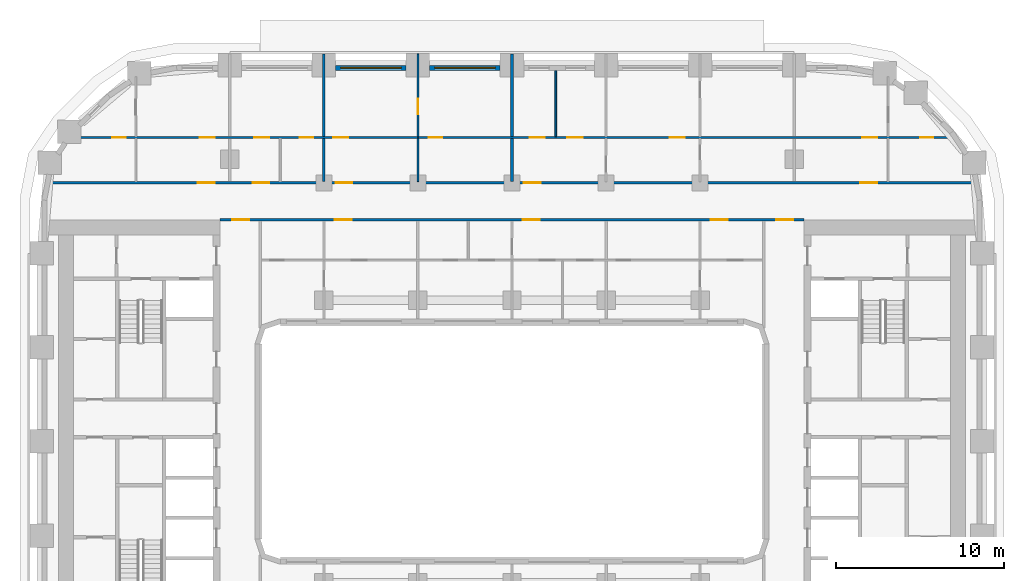
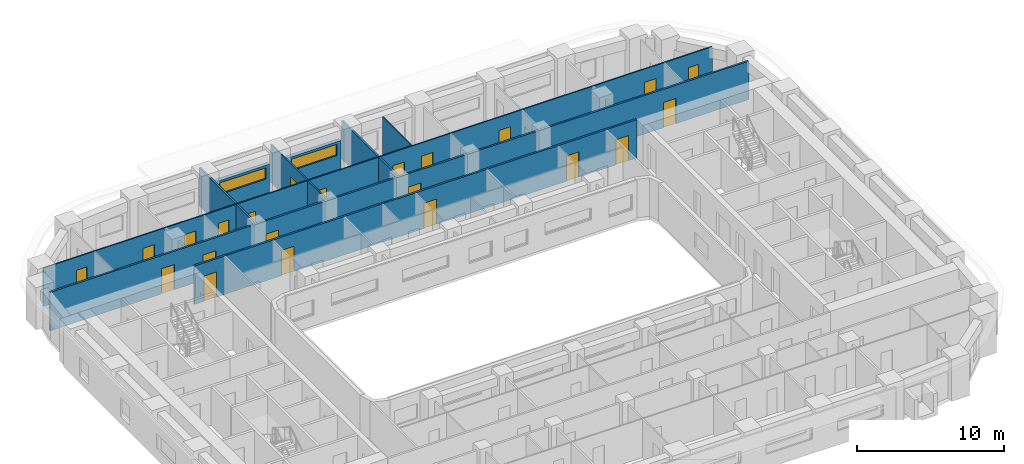
# One storey, part 8 of 22: 22 doors, 12 walls, 2 windows, 24 openings.
"""IFC4 building model written with IfcOpenShell, lengths in metres."""

import ifcopenshell
import ifcopenshell.guid

model = None  # the IFC model being written
_history = None  # IfcOwnerHistory: only IFC2X3 demands one
_inside = {}  # id of a spatial element -> (the spatial element, [elements in it])
_under = {}  # id of a project, library or spatial element -> (it, [spatial elements below it])
_declared = {}  # id of a project -> (the project, [libraries it declares])
_typed = {}  # id of a type object -> (the type object, [elements of that type])
_made_of = {}  # id of a material, layer set ... -> (it, [elements and type objects made of it])


def new_model(schema):
    """Start an empty IFC model of exactly this schema.

    Asked for "IFC4X3", IfcOpenShell would pick the latest addendum, in which some entities
    have other attributes; the version numbers below select the first issue.
    IFC2X3 requires an IfcOwnerHistory on every rooted entity: one is made here for all.
    """
    global model, _history
    if schema == "IFC4X3":
        model = ifcopenshell.file(schema_version=(4, 3, 0, 0))
    else:
        model = ifcopenshell.file(schema=schema)
    _inside.clear()
    _under.clear()
    _declared.clear()
    _typed.clear()
    _made_of.clear()
    _history = None
    if model.schema == "IFC2X3":
        org = make("IfcOrganization", Name="unknown")
        user = make(
            "IfcPersonAndOrganization",
            ThePerson=make("IfcPerson", FamilyName="unknown"),
            TheOrganization=org,
        )
        app = make(
            "IfcApplication",
            ApplicationDeveloper=org,
            Version="unknown",
            ApplicationFullName="unknown",
            ApplicationIdentifier="unknown",
        )
        _history = make(
            "IfcOwnerHistory",
            OwningUser=user,
            OwningApplication=app,
            ChangeAction="ADDED",
            CreationDate=0,
        )
    return model


def make(cls, **values):
    """One entity of the class cls with the attributes given. An attribute that is None is left unset."""
    return model.create_entity(
        cls, **{name: value for name, value in values.items() if value is not None}
    )


def rooted(cls, **values):
    """An entity with a GlobalId (a new one), such as an element, a storey or a relation."""
    return make(cls, GlobalId=ifcopenshell.guid.new(), OwnerHistory=_history, **values)


def si_unit(unit_type, name, prefix=None):
    """IfcSIUnit, for example si_unit("LENGTHUNIT", "METRE", prefix="MILLI")."""
    return make("IfcSIUnit", UnitType=unit_type, Prefix=prefix, Name=name)


def assignment(units):
    """IfcUnitAssignment: the units of a project."""
    return None if units is None else make("IfcUnitAssignment", Units=units)


def point(xyz):
    """IfcCartesianPoint."""
    return None if xyz is None else make("IfcCartesianPoint", Coordinates=xyz)


def direction(xyz):
    """IfcDirection."""
    return None if xyz is None else make("IfcDirection", DirectionRatios=xyz)


def frame(location, z_axis=None, x_axis=None):
    """IfcAxis2Placement3D, a coordinate frame: its origin and axes. An axis left out is left unset."""
    return make(
        "IfcAxis2Placement3D",
        Location=point(location),
        Axis=direction(z_axis),
        RefDirection=direction(x_axis),
    )


def frame_2d(location, x_axis=None):
    """IfcAxis2Placement2D, a coordinate frame in the plane: its origin and x axis."""
    return make(
        "IfcAxis2Placement2D", Location=point(location), RefDirection=direction(x_axis)
    )


def origin():
    """The frame at (0, 0, 0) with its axes left unset."""
    return frame((0.0, 0.0, 0.0))


def place(relative_to, where):
    """IfcLocalPlacement: puts the frame where relative to a parent placement (None: the world)."""
    return make(
        "IfcLocalPlacement", PlacementRelTo=relative_to, RelativePlacement=where
    )


def context(
    kind, dimensions, precision=None, world=None, true_north=None, identifier=None
):
    """IfcGeometricRepresentationContext, for example the 3D "Model" context."""
    return make(
        "IfcGeometricRepresentationContext",
        ContextIdentifier=identifier,
        ContextType=kind,
        CoordinateSpaceDimension=dimensions,
        Precision=precision,
        WorldCoordinateSystem=world,
        TrueNorth=true_north,
    )


def subcontext(parent, identifier, kind, view, scale=None):
    """IfcGeometricRepresentationSubContext, for example "Body" below "Model"."""
    return make(
        "IfcGeometricRepresentationSubContext",
        ContextIdentifier=identifier,
        ContextType=kind,
        ParentContext=parent,
        TargetScale=scale,
        TargetView=view,
    )


def project(units=None, contexts=None):
    """IfcProject with its units and contexts."""
    return rooted(
        "IfcProject",
        Name="project",
        RepresentationContexts=contexts,
        UnitsInContext=assignment(units),
    )


def spatial(cls, under=None, at=None, **own):
    """A site, building, storey or space (cls), placed at a placement, below another one or the project."""
    s = rooted(cls, ObjectPlacement=at, **own)
    if under is not None:
        _under.setdefault(under.id(), (under, []))[1].append(s)
    return s


def profile(cls, at=None, kind="AREA", **sizes):
    """A parametric profile (cls). Its sizes go by their IFC names, for example OverallWidth=200.0."""
    return make(cls, ProfileType=kind, Position=at, **sizes)


def rectangle(**sizes):
    """IfcRectangleProfileDef."""
    return profile("IfcRectangleProfileDef", **sizes)


def extrude(swept, where, along, depth):
    """IfcExtrudedAreaSolid: the profile swept, set in the frame where, extruded along a direction by depth."""
    return make(
        "IfcExtrudedAreaSolid",
        SweptArea=swept,
        Position=where,
        ExtrudedDirection=direction(along),
        Depth=depth,
    )


def shape(context_of_items, identifier, shape_type, items):
    """IfcShapeRepresentation: the items that make up one representation, for example the "Body"."""
    return make(
        "IfcShapeRepresentation",
        ContextOfItems=context_of_items,
        RepresentationIdentifier=identifier,
        RepresentationType=shape_type,
        Items=items,
    )


def material(Name=None, Category=None):
    """IfcMaterial."""
    return make("IfcMaterial", Name=Name, Category=Category)


def layer(
    of_material, thickness, ventilated=None, Name=None, Category=None, Priority=None
):
    """IfcMaterialLayer: one layer of a wall or slab, of a material (None: an air gap)."""
    return make(
        "IfcMaterialLayer",
        Material=of_material,
        LayerThickness=thickness,
        IsVentilated=ventilated,
        Name=Name,
        Category=Category,
        Priority=Priority,
    )


def layer_set(layers, Name=None):
    """IfcMaterialLayerSet."""
    return make("IfcMaterialLayerSet", MaterialLayers=layers, LayerSetName=Name)


def made_of(thing, what):
    """Note that an element or type object is made of a material, layer set ...; save() writes the relation."""
    if what is not None:
        _made_of.setdefault(what.id(), (what, []))[1].append(thing)
    return thing


def type_object(cls, material=None, **own):
    """A type object (cls), such as IfcWallType, which elements share."""
    return made_of(rooted(cls, **own), material)


def element(
    cls,
    number,
    at=None,
    inside=None,
    cuts=None,
    type_object=None,
    material=None,
    context=None,
    identifier="Body",
    shape_type=None,
    held_by="IfcProductDefinitionShape",
    body=None,
    shapes=None,
    **own,
):
    """One element of the class cls, such as IfcWall. Its Tag is "e" and its number.

    at: its placement. inside: the storey or other place that contains it. cuts: it is an
    opening in that element (IfcRelVoidsElement). A single representation is given by context,
    identifier, shape_type and body (its items); several are given by shapes. held_by: the class
    of the entity that holds the representations. save() writes the other relations.
    """
    e = rooted(cls, Tag="e%d" % number, ObjectPlacement=at, **own)
    if body is not None:
        shapes = [shape(context, identifier, shape_type, body)]
    if shapes is not None:
        e.Representation = make(held_by, Representations=shapes)
    if inside is not None:
        _inside.setdefault(inside.id(), (inside, []))[1].append(e)
    if cuts is not None:
        rooted(
            "IfcRelVoidsElement", RelatingBuildingElement=cuts, RelatedOpeningElement=e
        )
    if type_object is not None:
        _typed.setdefault(type_object.id(), (type_object, []))[1].append(e)
    return made_of(e, material)


def fill(opening, filler):
    """IfcRelFillsElement: the door or window that sits in an opening."""
    return rooted(
        "IfcRelFillsElement",
        RelatingOpeningElement=opening,
        RelatedBuildingElement=filler,
    )


def aggregate(whole, parts):
    """IfcRelAggregates: a whole, such as a stair, and the parts it consists of."""
    return rooted("IfcRelAggregates", RelatingObject=whole, RelatedObjects=parts)


def save(model, path):
    """Write the relations noted so far, then the file.

    IfcRelAggregates (storeys below a building ...), IfcRelContainedInSpatialStructure (elements
    in a storey), IfcRelDefinesByType, IfcRelAssociatesMaterial and IfcRelDeclares: one each for
    every whole, place, type object, material and project.
    """
    for whole, parts in _under.values():
        aggregate(whole, parts)
    for where, things in _inside.values():
        rooted(
            "IfcRelContainedInSpatialStructure",
            RelatedElements=things,
            RelatingStructure=where,
        )
    for kind, things in _typed.values():
        rooted("IfcRelDefinesByType", RelatedObjects=things, RelatingType=kind)
    for what, things in _made_of.values():
        rooted("IfcRelAssociatesMaterial", RelatedObjects=things, RelatingMaterial=what)
    for by, libraries in _declared.values():
        rooted("IfcRelDeclares", RelatingContext=by, RelatedDefinitions=libraries)
    model.write(path)


model = new_model("IFC4")

# Units and contexts
model_context = context("Model", 3, precision=1e-05, world=origin(), true_north=direction((0.0, 1.0)))
body_context = subcontext(model_context, "Body", "Model", "MODEL_VIEW")
ifc_project = project(units=[si_unit("LENGTHUNIT", "METRE"), si_unit("AREAUNIT", "SQUARE_METRE"), si_unit("VOLUMEUNIT", "CUBIC_METRE"), si_unit("PLANEANGLEUNIT", "RADIAN"), si_unit("MASSUNIT", "GRAM", prefix="KILO")], contexts=[model_context])

# Site, building, storey
site_placement = place(None, origin())
site = spatial("IfcSite", under=ifc_project, at=site_placement, CompositionType="ELEMENT")
building_placement = place(site_placement, origin())
building = spatial("IfcBuilding", under=site, at=building_placement, Name="Kiln Ring Residences", CompositionType="ELEMENT")
storey_placement = place(building_placement, frame((0.0, 0.0, 58.5)))
storey = spatial("IfcBuildingStorey", under=building, at=storey_placement, Name="L14", CompositionType="ELEMENT", Elevation=58.5)

# Wall, opening, window
ifc_material_1 = material(Name="Brick masonry, dark clay brick", Category="masonry")
ifc_layer_1 = layer(ifc_material_1, 0.300048828125)
ifc_layer_set_1 = layer_set([ifc_layer_1], Name="EW-300 BRICK WALL")
wall_type_1 = type_object("IfcWallType", Name="EW-300 BRICK WALL", PredefinedType="SOLIDWALL", material=ifc_layer_set_1)
wall_1_placement = place(storey_placement, frame((-0.699951171875, 22.25, 0.0), z_axis=(0.0, 0.0, 1.0), x_axis=(-1.0, 0.0, 0.0)))
wall_1 = element("IfcWall", 1, at=wall_1_placement, inside=storey, type_object=wall_type_1, Name="Facade wall L14 32", PredefinedType="SOLIDWALL", context=body_context, shape_type="SweptSolid", body=[
    extrude(rectangle(XDim=4.199951171875, YDim=0.300048828125, at=frame_2d((2.10009765625, 0.0))), origin(), (0.0, 0.0, 1.0), 2.35009765625),
])
opening_1_placement = place(wall_1_placement, frame((0.300048828125, 0.0, 1.199951171875)))
opening_1 = element("IfcOpeningElement", 2, at=opening_1_placement, cuts=wall_1, Name="Opening W4", PredefinedType="OPENING", context=body_context, shape_type="SweptSolid", body=[
    extrude(rectangle(XDim=3.60009765625, YDim=0.949951171875, at=frame_2d((1.800048828125, 0.47509765625))), frame((0.0, 0.159912109375, 0.0), z_axis=(0.0, -1.0, 0.0), x_axis=(1.0, 0.0, 0.0)), (0.0, 0.0, 1.0), 0.320068359375),
])
ifc_material_2 = material(Name="Aluminium frame with double glazing", Category="aluminium")
window_type = type_object("IfcWindowType", Name="WINDOW 3600 x 950", PartitioningType="SINGLE_PANEL", PredefinedType="WINDOW", material=ifc_material_2)
window_1_placement = place(opening_1_placement, origin())
window_1 = element("IfcWindow", 3, at=window_1_placement, inside=storey, type_object=window_type, Name="Window L14 18", OverallHeight=0.949951171875, OverallWidth=3.60009765625, PartitioningType="SINGLE_PANEL", PredefinedType="WINDOW", context=body_context, shape_type="SweptSolid", body=[
    extrude(rectangle(XDim=3.60009765625, YDim=0.949951171875, at=frame_2d((1.800048828125, 0.47509765625))), frame((0.0, 0.030029296875, 0.0), z_axis=(0.0, -1.0, 0.0), x_axis=(1.0, 0.0, 0.0)), (0.0, 0.0, 1.0), 0.06005859375),
])
fill(opening_1, window_1)

wall_2_placement = place(storey_placement, frame((-6.300048828125, 22.25, 0.0), z_axis=(0.0, 0.0, 1.0), x_axis=(-1.0, 0.0, 0.0)))
wall_2 = element("IfcWall", 4, at=wall_2_placement, inside=storey, type_object=wall_type_1, Name="Facade wall L14 33", PredefinedType="SOLIDWALL", context=body_context, shape_type="SweptSolid", body=[
    extrude(rectangle(XDim=4.199951171875, YDim=0.300048828125, at=frame_2d((2.10009765625, 0.0))), origin(), (0.0, 0.0, 1.0), 2.35009765625),
])
opening_2_placement = place(wall_2_placement, frame((0.300048828125, 0.0, 1.199951171875)))
opening_2 = element("IfcOpeningElement", 5, at=opening_2_placement, cuts=wall_2, Name="Opening W4", PredefinedType="OPENING", context=body_context, shape_type="SweptSolid", body=[
    extrude(rectangle(XDim=3.60009765625, YDim=0.949951171875, at=frame_2d((1.800048828125, 0.47509765625))), frame((0.0, 0.159912109375, 0.0), z_axis=(0.0, -1.0, 0.0), x_axis=(1.0, 0.0, 0.0)), (0.0, 0.0, 1.0), 0.320068359375),
])
window_2_placement = place(opening_2_placement, origin())
window_2 = element("IfcWindow", 6, at=window_2_placement, inside=storey, type_object=window_type, Name="Window L14 19", OverallHeight=0.949951171875, OverallWidth=3.60009765625, PartitioningType="SINGLE_PANEL", PredefinedType="WINDOW", context=body_context, shape_type="SweptSolid", body=[
    extrude(rectangle(XDim=3.60009765625, YDim=0.949951171875, at=frame_2d((1.800048828125, 0.47509765625))), frame((0.0, 0.030029296875, 0.0), z_axis=(0.0, -1.0, 0.0), x_axis=(1.0, 0.0, 0.0)), (0.0, 0.0, 1.0), 0.06005859375),
])
fill(opening_2, window_2)

# Wall, openings, doors
ifc_material_3 = material(Name="Gypsum board on steel studs", Category="steel")
ifc_layer_2 = layer(ifc_material_3, 0.10009765625)
ifc_layer_set_2 = layer_set([ifc_layer_2], Name="PARTITION-100")
wall_type_2 = type_object("IfcWallType", Name="PARTITION-100", PredefinedType="PARTITIONING", material=ifc_layer_set_2)
wall_3_placement = place(storey_placement, frame((-26.43994140625, 18.10009765625, 0.0), z_axis=(0.0, 0.0, 1.0), x_axis=(1.0, 0.0, 0.0)))
wall_3 = element("IfcWall", 7, at=wall_3_placement, inside=storey, type_object=wall_type_2, Name="Partition 007", PredefinedType="PARTITIONING", context=body_context, shape_type="SweptSolid", body=[
    extrude(rectangle(XDim=52.630126953125, YDim=0.10009765625, at=frame_2d((26.31494140625, 0.0))), origin(), (0.0, 0.0, 1.0), 3.199951171875),
])
opening_3_placement = place(wall_3_placement, frame((2.6259765625, 0.0, 0.0)))
opening_3 = element("IfcOpeningElement", 8, at=opening_3_placement, cuts=wall_3, Name="Opening L14-D020", PredefinedType="OPENING", context=body_context, shape_type="SweptSolid", body=[
    extrude(rectangle(XDim=0.800048828125, YDim=2.10009765625, at=frame_2d((0.39990234375, 1.050048828125))), frame((0.0, 0.06005859375, 0.0), z_axis=(0.0, -1.0, 0.0), x_axis=(1.0, 0.0, 0.0)), (0.0, 0.0, 1.0), 0.1201171875),
])
opening_4_placement = place(wall_3_placement, frame((7.840087890625, 0.0, 0.0)))
opening_4 = element("IfcOpeningElement", 9, at=opening_4_placement, cuts=wall_3, Name="Opening L14-D021", PredefinedType="OPENING", context=body_context, shape_type="SweptSolid", body=[
    extrude(rectangle(XDim=0.89990234375, YDim=2.10009765625, at=frame_2d((0.449951171875, 1.050048828125))), frame((0.0, 0.06005859375, 0.0), z_axis=(0.0, -1.0, 0.0), x_axis=(1.0, 0.0, 0.0)), (0.0, 0.0, 1.0), 0.1201171875),
])
opening_5_placement = place(wall_3_placement, frame((13.7900390625, 0.0, 0.0)))
opening_5 = element("IfcOpeningElement", 10, at=opening_5_placement, cuts=wall_3, Name="Opening L14-D024", PredefinedType="OPENING", context=body_context, shape_type="SweptSolid", body=[
    extrude(rectangle(XDim=0.800048828125, YDim=2.10009765625, at=frame_2d((0.39990234375, 1.050048828125))), frame((0.0, 0.06005859375, 0.0), z_axis=(0.0, -1.0, 0.0), x_axis=(1.0, 0.0, 0.0)), (0.0, 0.0, 1.0), 0.1201171875),
])
opening_6_placement = place(wall_3_placement, frame((11.090087890625, 0.0, 0.0)))
opening_6 = element("IfcOpeningElement", 11, at=opening_6_placement, cuts=wall_3, Name="Opening L14-D025", PredefinedType="OPENING", context=body_context, shape_type="SweptSolid", body=[
    extrude(rectangle(XDim=0.89990234375, YDim=2.10009765625, at=frame_2d((0.449951171875, 1.050048828125))), frame((0.0, 0.06005859375, 0.0), z_axis=(0.0, -1.0, 0.0), x_axis=(1.0, 0.0, 0.0)), (0.0, 0.0, 1.0), 0.1201171875),
])
opening_7_placement = place(wall_3_placement, frame((21.489990234375, 0.0, 0.0)))
opening_7 = element("IfcOpeningElement", 12, at=opening_7_placement, cuts=wall_3, Name="Opening L14-D027", PredefinedType="OPENING", context=body_context, shape_type="SweptSolid", body=[
    extrude(rectangle(XDim=0.800048828125, YDim=2.10009765625, at=frame_2d((0.39990234375, 1.050048828125))), frame((0.0, 0.06005859375, 0.0), z_axis=(0.0, -1.0, 0.0), x_axis=(1.0, 0.0, 0.0)), (0.0, 0.0, 1.0), 0.1201171875),
])
opening_8_placement = place(wall_3_placement, frame((15.7900390625, 0.0, 0.0)))
opening_8 = element("IfcOpeningElement", 13, at=opening_8_placement, cuts=wall_3, Name="Opening L14-D028", PredefinedType="OPENING", context=body_context, shape_type="SweptSolid", body=[
    extrude(rectangle(XDim=0.89990234375, YDim=2.10009765625, at=frame_2d((0.449951171875, 1.050048828125))), frame((0.0, 0.06005859375, 0.0), z_axis=(0.0, -1.0, 0.0), x_axis=(1.0, 0.0, 0.0)), (0.0, 0.0, 1.0), 0.1201171875),
])
opening_9_placement = place(wall_3_placement, frame((27.489990234375, 0.0, 0.0)))
opening_9 = element("IfcOpeningElement", 14, at=opening_9_placement, cuts=wall_3, Name="Opening L14-D033", PredefinedType="OPENING", context=body_context, shape_type="SweptSolid", body=[
    extrude(rectangle(XDim=0.89990234375, YDim=2.10009765625, at=frame_2d((0.449951171875, 1.050048828125))), frame((0.0, 0.06005859375, 0.0), z_axis=(0.0, -1.0, 0.0), x_axis=(1.0, 0.0, 0.0)), (0.0, 0.0, 1.0), 0.1201171875),
])
opening_10_placement = place(wall_3_placement, frame((29.739990234375, 0.0, 0.0)))
opening_10 = element("IfcOpeningElement", 15, at=opening_10_placement, cuts=wall_3, Name="Opening L14-D034", PredefinedType="OPENING", context=body_context, shape_type="SweptSolid", body=[
    extrude(rectangle(XDim=0.89990234375, YDim=2.10009765625, at=frame_2d((0.449951171875, 1.050048828125))), frame((0.0, 0.06005859375, 0.0), z_axis=(0.0, -1.0, 0.0), x_axis=(1.0, 0.0, 0.0)), (0.0, 0.0, 1.0), 0.1201171875),
])
opening_11_placement = place(wall_3_placement, frame((35.840087890625, 0.0, 0.0)))
opening_11 = element("IfcOpeningElement", 16, at=opening_11_placement, cuts=wall_3, Name="Opening L14-D035", PredefinedType="OPENING", context=body_context, shape_type="SweptSolid", body=[
    extrude(rectangle(XDim=0.89990234375, YDim=2.10009765625, at=frame_2d((0.449951171875, 1.050048828125))), frame((0.0, 0.06005859375, 0.0), z_axis=(0.0, -1.0, 0.0), x_axis=(1.0, 0.0, 0.0)), (0.0, 0.0, 1.0), 0.1201171875),
])
opening_12_placement = place(wall_3_placement, frame((50.739990234375, 0.0, 0.0)))
opening_12 = element("IfcOpeningElement", 17, at=opening_12_placement, cuts=wall_3, Name="Opening L14-D038", PredefinedType="OPENING", context=body_context, shape_type="SweptSolid", body=[
    extrude(rectangle(XDim=0.800048828125, YDim=2.10009765625, at=frame_2d((0.39990234375, 1.050048828125))), frame((0.0, 0.06005859375, 0.0), z_axis=(0.0, -1.0, 0.0), x_axis=(1.0, 0.0, 0.0)), (0.0, 0.0, 1.0), 0.1201171875),
])
opening_13_placement = place(wall_3_placement, frame((47.2900390625, 0.0, 0.0)))
opening_13 = element("IfcOpeningElement", 18, at=opening_13_placement, cuts=wall_3, Name="Opening L14-D039", PredefinedType="OPENING", context=body_context, shape_type="SweptSolid", body=[
    extrude(rectangle(XDim=0.89990234375, YDim=2.10009765625, at=frame_2d((0.449951171875, 1.050048828125))), frame((0.0, 0.06005859375, 0.0), z_axis=(0.0, -1.0, 0.0), x_axis=(1.0, 0.0, 0.0)), (0.0, 0.0, 1.0), 0.1201171875),
])
ifc_material_4 = material(Name="Timber door leaf", Category="wood")
door_type_1 = type_object("IfcDoorType", Name="FLAT-DOOR-800-PL", OperationType="SINGLE_SWING_LEFT", PredefinedType="DOOR", material=ifc_material_4)
door_1_placement = place(opening_3_placement, origin())
door_1 = element("IfcDoor", 19, at=door_1_placement, inside=storey, type_object=door_type_1, Name="Door L14-D020", OperationType="SINGLE_SWING_RIGHT", OverallHeight=2.10009765625, OverallWidth=0.800048828125, PredefinedType="DOOR", context=body_context, shape_type="SweptSolid", body=[
    extrude(rectangle(XDim=0.800048828125, YDim=2.10009765625, at=frame_2d((0.39990234375, 1.050048828125))), frame((0.0, 0.02490234375, 0.0), z_axis=(0.0, -1.0, 0.0), x_axis=(1.0, 0.0, 0.0)), (0.0, 0.0, 1.0), 0.050048828125),
])
fill(opening_3, door_1)
door_2_placement = place(opening_5_placement, origin())
door_2 = element("IfcDoor", 20, at=door_2_placement, inside=storey, type_object=door_type_1, Name="Door L14-D024", OperationType="SINGLE_SWING_RIGHT", OverallHeight=2.10009765625, OverallWidth=0.800048828125, PredefinedType="DOOR", context=body_context, shape_type="SweptSolid", body=[
    extrude(rectangle(XDim=0.800048828125, YDim=2.10009765625, at=frame_2d((0.39990234375, 1.050048828125))), frame((0.0, 0.02490234375, 0.0), z_axis=(0.0, -1.0, 0.0), x_axis=(1.0, 0.0, 0.0)), (0.0, 0.0, 1.0), 0.050048828125),
])
fill(opening_5, door_2)
door_3_placement = place(opening_7_placement, origin())
door_3 = element("IfcDoor", 21, at=door_3_placement, inside=storey, type_object=door_type_1, Name="Door L14-D027", OperationType="SINGLE_SWING_LEFT", OverallHeight=2.10009765625, OverallWidth=0.800048828125, PredefinedType="DOOR", context=body_context, shape_type="SweptSolid", body=[
    extrude(rectangle(XDim=0.800048828125, YDim=2.10009765625, at=frame_2d((0.39990234375, 1.050048828125))), frame((0.0, 0.02490234375, 0.0), z_axis=(0.0, -1.0, 0.0), x_axis=(1.0, 0.0, 0.0)), (0.0, 0.0, 1.0), 0.050048828125),
])
fill(opening_7, door_3)
door_4_placement = place(opening_12_placement, origin())
door_4 = element("IfcDoor", 22, at=door_4_placement, inside=storey, type_object=door_type_1, Name="Door L14-D038", OperationType="SINGLE_SWING_RIGHT", OverallHeight=2.10009765625, OverallWidth=0.800048828125, PredefinedType="DOOR", context=body_context, shape_type="SweptSolid", body=[
    extrude(rectangle(XDim=0.800048828125, YDim=2.10009765625, at=frame_2d((0.39990234375, 1.050048828125))), frame((0.0, 0.02490234375, 0.0), z_axis=(0.0, -1.0, 0.0), x_axis=(1.0, 0.0, 0.0)), (0.0, 0.0, 1.0), 0.050048828125),
])
fill(opening_12, door_4)
ifc_material_5 = material(Name="Timber door leaf", Category="wood")
door_type_2 = type_object("IfcDoorType", Name="FLAT-DOOR-900-PL", OperationType="SINGLE_SWING_LEFT", PredefinedType="DOOR", material=ifc_material_5)
door_5_placement = place(opening_4_placement, origin())
door_5 = element("IfcDoor", 23, at=door_5_placement, inside=storey, type_object=door_type_2, Name="Door L14-D021", OperationType="SINGLE_SWING_LEFT", OverallHeight=2.10009765625, OverallWidth=0.89990234375, PredefinedType="DOOR", context=body_context, shape_type="SweptSolid", body=[
    extrude(rectangle(XDim=0.89990234375, YDim=2.10009765625, at=frame_2d((0.449951171875, 1.050048828125))), frame((0.0, 0.02490234375, 0.0), z_axis=(0.0, -1.0, 0.0), x_axis=(1.0, 0.0, 0.0)), (0.0, 0.0, 1.0), 0.050048828125),
])
fill(opening_4, door_5)
door_6_placement = place(opening_6_placement, origin())
door_6 = element("IfcDoor", 24, at=door_6_placement, inside=storey, type_object=door_type_2, Name="Door L14-D025", OperationType="SINGLE_SWING_LEFT", OverallHeight=2.10009765625, OverallWidth=0.89990234375, PredefinedType="DOOR", context=body_context, shape_type="SweptSolid", body=[
    extrude(rectangle(XDim=0.89990234375, YDim=2.10009765625, at=frame_2d((0.449951171875, 1.050048828125))), frame((0.0, 0.02490234375, 0.0), z_axis=(0.0, -1.0, 0.0), x_axis=(1.0, 0.0, 0.0)), (0.0, 0.0, 1.0), 0.050048828125),
])
fill(opening_6, door_6)
door_7_placement = place(opening_8_placement, origin())
door_7 = element("IfcDoor", 25, at=door_7_placement, inside=storey, type_object=door_type_2, Name="Door L14-D028", OperationType="SINGLE_SWING_RIGHT", OverallHeight=2.10009765625, OverallWidth=0.89990234375, PredefinedType="DOOR", context=body_context, shape_type="SweptSolid", body=[
    extrude(rectangle(XDim=0.89990234375, YDim=2.10009765625, at=frame_2d((0.449951171875, 1.050048828125))), frame((0.0, 0.02490234375, 0.0), z_axis=(0.0, -1.0, 0.0), x_axis=(1.0, 0.0, 0.0)), (0.0, 0.0, 1.0), 0.050048828125),
])
fill(opening_8, door_7)
door_8_placement = place(opening_9_placement, origin())
door_8 = element("IfcDoor", 26, at=door_8_placement, inside=storey, type_object=door_type_2, Name="Door L14-D033", OperationType="SINGLE_SWING_LEFT", OverallHeight=2.10009765625, OverallWidth=0.89990234375, PredefinedType="DOOR", context=body_context, shape_type="SweptSolid", body=[
    extrude(rectangle(XDim=0.89990234375, YDim=2.10009765625, at=frame_2d((0.449951171875, 1.050048828125))), frame((0.0, 0.02490234375, 0.0), z_axis=(0.0, -1.0, 0.0), x_axis=(1.0, 0.0, 0.0)), (0.0, 0.0, 1.0), 0.050048828125),
])
fill(opening_9, door_8)
door_9_placement = place(opening_10_placement, origin())
door_9 = element("IfcDoor", 27, at=door_9_placement, inside=storey, type_object=door_type_2, Name="Door L14-D034", OperationType="SINGLE_SWING_RIGHT", OverallHeight=2.10009765625, OverallWidth=0.89990234375, PredefinedType="DOOR", context=body_context, shape_type="SweptSolid", body=[
    extrude(rectangle(XDim=0.89990234375, YDim=2.10009765625, at=frame_2d((0.449951171875, 1.050048828125))), frame((0.0, 0.02490234375, 0.0), z_axis=(0.0, -1.0, 0.0), x_axis=(1.0, 0.0, 0.0)), (0.0, 0.0, 1.0), 0.050048828125),
])
fill(opening_10, door_9)
door_10_placement = place(opening_11_placement, origin())
door_10 = element("IfcDoor", 28, at=door_10_placement, inside=storey, type_object=door_type_2, Name="Door L14-D035", OperationType="SINGLE_SWING_LEFT", OverallHeight=2.10009765625, OverallWidth=0.89990234375, PredefinedType="DOOR", context=body_context, shape_type="SweptSolid", body=[
    extrude(rectangle(XDim=0.89990234375, YDim=2.10009765625, at=frame_2d((0.449951171875, 1.050048828125))), frame((0.0, 0.02490234375, 0.0), z_axis=(0.0, -1.0, 0.0), x_axis=(1.0, 0.0, 0.0)), (0.0, 0.0, 1.0), 0.050048828125),
])
fill(opening_11, door_10)
door_11_placement = place(opening_13_placement, origin())
door_11 = element("IfcDoor", 29, at=door_11_placement, inside=storey, type_object=door_type_2, Name="Door L14-D039", OperationType="SINGLE_SWING_LEFT", OverallHeight=2.10009765625, OverallWidth=0.89990234375, PredefinedType="DOOR", context=body_context, shape_type="SweptSolid", body=[
    extrude(rectangle(XDim=0.89990234375, YDim=2.10009765625, at=frame_2d((0.449951171875, 1.050048828125))), frame((0.0, 0.02490234375, 0.0), z_axis=(0.0, -1.0, 0.0), x_axis=(1.0, 0.0, 0.0)), (0.0, 0.0, 1.0), 0.050048828125),
])
fill(opening_13, door_11)

# Wall
wall_4_placement = place(storey_placement, frame((-5.60009765625, 15.47509765625, 0.0), z_axis=(0.0, 0.0, 1.0), x_axis=(0.0, 1.0, 0.0)))
element("IfcWall", 30, at=wall_4_placement, inside=storey, type_object=wall_type_2, Name="Partition 029", PredefinedType="PARTITIONING", context=body_context, shape_type="SweptSolid", body=[
    extrude(rectangle(XDim=2.574951171875, YDim=0.10009765625, at=frame_2d((1.28759765625, 0.0))), origin(), (0.0, 0.0, 1.0), 3.199951171875),
])

# Wall, opening, door
wall_5_placement = place(storey_placement, frame((-5.60009765625, 18.14990234375, 0.0), z_axis=(0.0, 0.0, 1.0), x_axis=(0.0, 1.0, 0.0)))
wall_5 = element("IfcWall", 31, at=wall_5_placement, inside=storey, type_object=wall_type_2, Name="Partition 030", PredefinedType="PARTITIONING", context=body_context, shape_type="SweptSolid", body=[
    extrude(rectangle(XDim=4.93017578125, YDim=0.10009765625, at=frame_2d((2.465087890625, 0.0))), origin(), (0.0, 0.0, 1.0), 3.199951171875),
])
opening_14_placement = place(wall_5_placement, frame((1.35009765625, 0.0, 0.0)))
opening_14 = element("IfcOpeningElement", 32, at=opening_14_placement, cuts=wall_5, Name="Opening L14-D029", PredefinedType="OPENING", context=body_context, shape_type="SweptSolid", body=[
    extrude(rectangle(XDim=0.89990234375, YDim=2.10009765625, at=frame_2d((0.449951171875, 1.050048828125))), frame((0.0, 0.06005859375, 0.0), z_axis=(0.0, -1.0, 0.0), x_axis=(1.0, 0.0, 0.0)), (0.0, 0.0, 1.0), 0.1201171875),
])
door_12_placement = place(opening_14_placement, origin())
door_12 = element("IfcDoor", 33, at=door_12_placement, inside=storey, type_object=door_type_2, Name="Door L14-D029", OperationType="SINGLE_SWING_LEFT", OverallHeight=2.10009765625, OverallWidth=0.89990234375, PredefinedType="DOOR", context=body_context, shape_type="SweptSolid", body=[
    extrude(rectangle(XDim=0.89990234375, YDim=2.10009765625, at=frame_2d((0.449951171875, 1.050048828125))), frame((0.0, 0.02490234375, 0.0), z_axis=(0.0, -1.0, 0.0), x_axis=(1.0, 0.0, 0.0)), (0.0, 0.0, 1.0), 0.050048828125),
])
fill(opening_14, door_12)

# Wall
wall_6_placement = place(storey_placement, frame((2.60009765625, 18.14990234375, 0.0), z_axis=(0.0, 0.0, 1.0), x_axis=(0.0, 1.0, 0.0)))
element("IfcWall", 34, at=wall_6_placement, inside=storey, type_object=wall_type_2, Name="Partition 046", PredefinedType="PARTITIONING", context=body_context, shape_type="SweptSolid", body=[
    extrude(rectangle(XDim=3.93017578125, YDim=0.10009765625, at=frame_2d((1.965087890625, 0.0))), origin(), (0.0, 0.0, 1.0), 3.199951171875),
])

# Wall, openings, doors
ifc_material_6 = material(Name="Brick masonry partition", Category="masonry")
ifc_layer_3 = layer(ifc_material_6, 0.14990234375)
ifc_layer_set_3 = layer_set([ifc_layer_3], Name="PARTITION-150-ei60")
wall_type_3 = type_object("IfcWallType", Name="PARTITION-150-ei60", PredefinedType="PARTITIONING", material=ifc_layer_set_3)
wall_7_placement = place(storey_placement, frame((-17.39990234375, 13.199951171875, 0.0), z_axis=(0.0, 0.0, 1.0), x_axis=(1.0, 0.0, 0.0)))
wall_7 = element("IfcWall", 35, at=wall_7_placement, inside=storey, type_object=wall_type_3, Name="Partition 005", PredefinedType="PARTITIONING", context=body_context, shape_type="SweptSolid", body=[
    extrude(rectangle(XDim=34.7998046875, YDim=0.14990234375, at=frame_2d((17.39990234375, 0.0))), origin(), (0.0, 0.0, 1.0), 3.199951171875),
])
opening_15_placement = place(wall_7_placement, frame((0.75, 0.0, 0.0)))
opening_15 = element("IfcOpeningElement", 36, at=opening_15_placement, cuts=wall_7, Name="Opening L14-D001", PredefinedType="OPENING", context=body_context, shape_type="SweptSolid", body=[
    extrude(rectangle(XDim=1.0, YDim=2.10009765625, at=frame_2d((0.5, 1.050048828125))), frame((0.0, 0.0849609375, 0.0), z_axis=(0.0, -1.0, 0.0), x_axis=(1.0, 0.0, 0.0)), (0.0, 0.0, 1.0), 0.169921875),
])
opening_16_placement = place(wall_7_placement, frame((33.14990234375, 0.0, 0.0)))
opening_16 = element("IfcOpeningElement", 37, at=opening_16_placement, cuts=wall_7, Name="Opening L14-D002", PredefinedType="OPENING", context=body_context, shape_type="SweptSolid", body=[
    extrude(rectangle(XDim=1.0, YDim=2.10009765625, at=frame_2d((0.5, 1.050048828125))), frame((0.0, 0.0849609375, 0.0), z_axis=(0.0, -1.0, 0.0), x_axis=(1.0, 0.0, 0.0)), (0.0, 0.0, 1.0), 0.169921875),
])
opening_17_placement = place(wall_7_placement, frame((6.85009765625, 0.0, 0.0)))
opening_17 = element("IfcOpeningElement", 38, at=opening_17_placement, cuts=wall_7, Name="Opening L14-D005", PredefinedType="OPENING", context=body_context, shape_type="SweptSolid", body=[
    extrude(rectangle(XDim=1.0, YDim=2.10009765625, at=frame_2d((0.5, 1.050048828125))), frame((0.0, 0.0849609375, 0.0), z_axis=(0.0, -1.0, 0.0), x_axis=(1.0, 0.0, 0.0)), (0.0, 0.0, 1.0), 0.169921875),
])
opening_18_placement = place(wall_7_placement, frame((18.050048828125, 0.0, 0.0)))
opening_18 = element("IfcOpeningElement", 39, at=opening_18_placement, cuts=wall_7, Name="Opening L14-D009", PredefinedType="OPENING", context=body_context, shape_type="SweptSolid", body=[
    extrude(rectangle(XDim=1.0, YDim=2.10009765625, at=frame_2d((0.5, 1.050048828125))), frame((0.0, 0.0849609375, 0.0), z_axis=(0.0, -1.0, 0.0), x_axis=(1.0, 0.0, 0.0)), (0.0, 0.0, 1.0), 0.169921875),
])
opening_19_placement = place(wall_7_placement, frame((29.25, 0.0, 0.0)))
opening_19 = element("IfcOpeningElement", 40, at=opening_19_placement, cuts=wall_7, Name="Opening L14-D015", PredefinedType="OPENING", context=body_context, shape_type="SweptSolid", body=[
    extrude(rectangle(XDim=1.0, YDim=2.10009765625, at=frame_2d((0.5, 1.050048828125))), frame((0.0, 0.0849609375, 0.0), z_axis=(0.0, -1.0, 0.0), x_axis=(1.0, 0.0, 0.0)), (0.0, 0.0, 1.0), 0.169921875),
])
ifc_material_7 = material(Name="Steel faced fire door leaf", Category="steel")
door_type_3 = type_object("IfcDoorType", Name="FLAT-DOOR-1000-FR", OperationType="SINGLE_SWING_LEFT", PredefinedType="DOOR", material=ifc_material_7)
door_13_placement = place(opening_15_placement, origin())
door_13 = element("IfcDoor", 41, at=door_13_placement, inside=storey, type_object=door_type_3, Name="Door L14-D001", OperationType="SINGLE_SWING_RIGHT", OverallHeight=2.10009765625, OverallWidth=1.0, PredefinedType="DOOR", context=body_context, shape_type="SweptSolid", body=[
    extrude(rectangle(XDim=1.0, YDim=2.10009765625, at=frame_2d((0.5, 1.050048828125))), frame((0.0, 0.02490234375, 0.0), z_axis=(0.0, -1.0, 0.0), x_axis=(1.0, 0.0, 0.0)), (0.0, 0.0, 1.0), 0.050048828125),
])
fill(opening_15, door_13)
door_14_placement = place(opening_16_placement, origin())
door_14 = element("IfcDoor", 42, at=door_14_placement, inside=storey, type_object=door_type_3, Name="Door L14-D002", OperationType="SINGLE_SWING_LEFT", OverallHeight=2.10009765625, OverallWidth=1.0, PredefinedType="DOOR", context=body_context, shape_type="SweptSolid", body=[
    extrude(rectangle(XDim=1.0, YDim=2.10009765625, at=frame_2d((0.5, 1.050048828125))), frame((0.0, 0.02490234375, 0.0), z_axis=(0.0, -1.0, 0.0), x_axis=(1.0, 0.0, 0.0)), (0.0, 0.0, 1.0), 0.050048828125),
])
fill(opening_16, door_14)
door_15_placement = place(opening_17_placement, origin())
door_15 = element("IfcDoor", 43, at=door_15_placement, inside=storey, type_object=door_type_3, Name="Door L14-D005", OperationType="SINGLE_SWING_LEFT", OverallHeight=2.10009765625, OverallWidth=1.0, PredefinedType="DOOR", context=body_context, shape_type="SweptSolid", body=[
    extrude(rectangle(XDim=1.0, YDim=2.10009765625, at=frame_2d((0.5, 1.050048828125))), frame((0.0, 0.02490234375, 0.0), z_axis=(0.0, -1.0, 0.0), x_axis=(1.0, 0.0, 0.0)), (0.0, 0.0, 1.0), 0.050048828125),
])
fill(opening_17, door_15)
door_16_placement = place(opening_18_placement, origin())
door_16 = element("IfcDoor", 44, at=door_16_placement, inside=storey, type_object=door_type_3, Name="Door L14-D009", OperationType="SINGLE_SWING_LEFT", OverallHeight=2.10009765625, OverallWidth=1.0, PredefinedType="DOOR", context=body_context, shape_type="SweptSolid", body=[
    extrude(rectangle(XDim=1.0, YDim=2.10009765625, at=frame_2d((0.5, 1.050048828125))), frame((0.0, 0.02490234375, 0.0), z_axis=(0.0, -1.0, 0.0), x_axis=(1.0, 0.0, 0.0)), (0.0, 0.0, 1.0), 0.050048828125),
])
fill(opening_18, door_16)
door_17_placement = place(opening_19_placement, origin())
door_17 = element("IfcDoor", 45, at=door_17_placement, inside=storey, type_object=door_type_3, Name="Door L14-D015", OperationType="SINGLE_SWING_LEFT", OverallHeight=2.10009765625, OverallWidth=1.0, PredefinedType="DOOR", context=body_context, shape_type="SweptSolid", body=[
    extrude(rectangle(XDim=1.0, YDim=2.10009765625, at=frame_2d((0.5, 1.050048828125))), frame((0.0, 0.02490234375, 0.0), z_axis=(0.0, -1.0, 0.0), x_axis=(1.0, 0.0, 0.0)), (0.0, 0.0, 1.0), 0.050048828125),
])
fill(opening_19, door_17)

wall_8_placement = place(storey_placement, frame((-27.48388671875, 15.39990234375, 0.0), z_axis=(0.0, 0.0, 1.0), x_axis=(1.0, 0.0, 0.0)))
wall_8 = element("IfcWall", 46, at=wall_8_placement, inside=storey, type_object=wall_type_3, Name="Partition 006", PredefinedType="PARTITIONING", context=body_context, shape_type="SweptSolid", body=[
    extrude(rectangle(XDim=54.9677734375, YDim=0.14990234375, at=frame_2d((27.48388671875, 0.0))), origin(), (0.0, 0.0, 1.0), 3.199951171875),
])
opening_20_placement = place(wall_8_placement, frame((8.78369140625, 0.0, 0.0)))
opening_20 = element("IfcOpeningElement", 47, at=opening_20_placement, cuts=wall_8, Name="Opening L14-D019", PredefinedType="OPENING", context=body_context, shape_type="SweptSolid", body=[
    extrude(rectangle(XDim=1.0, YDim=2.10009765625, at=frame_2d((0.5, 1.050048828125))), frame((0.0, 0.0849609375, 0.0), z_axis=(0.0, -1.0, 0.0), x_axis=(1.0, 0.0, 0.0)), (0.0, 0.0, 1.0), 0.169921875),
])
opening_21_placement = place(wall_8_placement, frame((12.03369140625, 0.0, 0.0)))
opening_21 = element("IfcOpeningElement", 48, at=opening_21_placement, cuts=wall_8, Name="Opening L14-D023", PredefinedType="OPENING", context=body_context, shape_type="SweptSolid", body=[
    extrude(rectangle(XDim=1.0, YDim=2.10009765625, at=frame_2d((0.5, 1.050048828125))), frame((0.0, 0.0849609375, 0.0), z_axis=(0.0, -1.0, 0.0), x_axis=(1.0, 0.0, 0.0)), (0.0, 0.0, 1.0), 0.169921875),
])
opening_22_placement = place(wall_8_placement, frame((16.98388671875, 0.0, 0.0)))
opening_22 = element("IfcOpeningElement", 49, at=opening_22_placement, cuts=wall_8, Name="Opening L14-D026", PredefinedType="OPENING", context=body_context, shape_type="SweptSolid", body=[
    extrude(rectangle(XDim=1.0, YDim=2.10009765625, at=frame_2d((0.5, 1.050048828125))), frame((0.0, 0.0849609375, 0.0), z_axis=(0.0, -1.0, 0.0), x_axis=(1.0, 0.0, 0.0)), (0.0, 0.0, 1.0), 0.169921875),
])
opening_23_placement = place(wall_8_placement, frame((28.183837890625, 0.0, 0.0)))
opening_23 = element("IfcOpeningElement", 50, at=opening_23_placement, cuts=wall_8, Name="Opening L14-D030", PredefinedType="OPENING", context=body_context, shape_type="SweptSolid", body=[
    extrude(rectangle(XDim=1.0, YDim=2.10009765625, at=frame_2d((0.5, 1.050048828125))), frame((0.0, 0.0849609375, 0.0), z_axis=(0.0, -1.0, 0.0), x_axis=(1.0, 0.0, 0.0)), (0.0, 0.0, 1.0), 0.169921875),
])
opening_24_placement = place(wall_8_placement, frame((48.23388671875, 0.0, 0.0)))
opening_24 = element("IfcOpeningElement", 51, at=opening_24_placement, cuts=wall_8, Name="Opening L14-D037", PredefinedType="OPENING", context=body_context, shape_type="SweptSolid", body=[
    extrude(rectangle(XDim=1.0, YDim=2.10009765625, at=frame_2d((0.5, 1.050048828125))), frame((0.0, 0.0849609375, 0.0), z_axis=(0.0, -1.0, 0.0), x_axis=(1.0, 0.0, 0.0)), (0.0, 0.0, 1.0), 0.169921875),
])
door_18_placement = place(opening_20_placement, origin())
door_18 = element("IfcDoor", 52, at=door_18_placement, inside=storey, type_object=door_type_3, Name="Door L14-D019", OperationType="SINGLE_SWING_LEFT", OverallHeight=2.10009765625, OverallWidth=1.0, PredefinedType="DOOR", context=body_context, shape_type="SweptSolid", body=[
    extrude(rectangle(XDim=1.0, YDim=2.10009765625, at=frame_2d((0.5, 1.050048828125))), frame((0.0, 0.02490234375, 0.0), z_axis=(0.0, -1.0, 0.0), x_axis=(1.0, 0.0, 0.0)), (0.0, 0.0, 1.0), 0.050048828125),
])
fill(opening_20, door_18)
door_19_placement = place(opening_21_placement, origin())
door_19 = element("IfcDoor", 53, at=door_19_placement, inside=storey, type_object=door_type_3, Name="Door L14-D023", OperationType="SINGLE_SWING_LEFT", OverallHeight=2.10009765625, OverallWidth=1.0, PredefinedType="DOOR", context=body_context, shape_type="SweptSolid", body=[
    extrude(rectangle(XDim=1.0, YDim=2.10009765625, at=frame_2d((0.5, 1.050048828125))), frame((0.0, 0.02490234375, 0.0), z_axis=(0.0, -1.0, 0.0), x_axis=(1.0, 0.0, 0.0)), (0.0, 0.0, 1.0), 0.050048828125),
])
fill(opening_21, door_19)
door_20_placement = place(opening_22_placement, origin())
door_20 = element("IfcDoor", 54, at=door_20_placement, inside=storey, type_object=door_type_3, Name="Door L14-D026", OperationType="SINGLE_SWING_RIGHT", OverallHeight=2.10009765625, OverallWidth=1.0, PredefinedType="DOOR", context=body_context, shape_type="SweptSolid", body=[
    extrude(rectangle(XDim=1.0, YDim=2.10009765625, at=frame_2d((0.5, 1.050048828125))), frame((0.0, 0.02490234375, 0.0), z_axis=(0.0, -1.0, 0.0), x_axis=(1.0, 0.0, 0.0)), (0.0, 0.0, 1.0), 0.050048828125),
])
fill(opening_22, door_20)
door_21_placement = place(opening_23_placement, origin())
door_21 = element("IfcDoor", 55, at=door_21_placement, inside=storey, type_object=door_type_3, Name="Door L14-D030", OperationType="SINGLE_SWING_RIGHT", OverallHeight=2.10009765625, OverallWidth=1.0, PredefinedType="DOOR", context=body_context, shape_type="SweptSolid", body=[
    extrude(rectangle(XDim=1.0, YDim=2.10009765625, at=frame_2d((0.5, 1.050048828125))), frame((0.0, 0.02490234375, 0.0), z_axis=(0.0, -1.0, 0.0), x_axis=(1.0, 0.0, 0.0)), (0.0, 0.0, 1.0), 0.050048828125),
])
fill(opening_23, door_21)
door_22_placement = place(opening_24_placement, origin())
door_22 = element("IfcDoor", 56, at=door_22_placement, inside=storey, type_object=door_type_3, Name="Door L14-D037", OperationType="SINGLE_SWING_LEFT", OverallHeight=2.10009765625, OverallWidth=1.0, PredefinedType="DOOR", context=body_context, shape_type="SweptSolid", body=[
    extrude(rectangle(XDim=1.0, YDim=2.10009765625, at=frame_2d((0.5, 1.050048828125))), frame((0.0, 0.02490234375, 0.0), z_axis=(0.0, -1.0, 0.0), x_axis=(1.0, 0.0, 0.0)), (0.0, 0.0, 1.0), 0.050048828125),
])
fill(opening_24, door_22)

# Walls
wall_9_placement = place(storey_placement, frame((-11.199951171875, 15.47509765625, 0.0), z_axis=(0.0, 0.0, 1.0), x_axis=(0.0, 1.0, 0.0)))
element("IfcWall", 57, at=wall_9_placement, inside=storey, type_object=wall_type_3, Name="Partition 026", PredefinedType="PARTITIONING", context=body_context, shape_type="SweptSolid", body=[
    extrude(rectangle(XDim=2.574951171875, YDim=0.14990234375, at=frame_2d((1.28759765625, 0.0))), origin(), (0.0, 0.0, 1.0), 3.199951171875),
])
wall_10_placement = place(storey_placement, frame((-11.199951171875, 18.14990234375, 0.0), z_axis=(0.0, 0.0, 1.0), x_axis=(0.0, 1.0, 0.0)))
element("IfcWall", 58, at=wall_10_placement, inside=storey, type_object=wall_type_3, Name="Partition 027", PredefinedType="PARTITIONING", context=body_context, shape_type="SweptSolid", body=[
    extrude(rectangle(XDim=4.93017578125, YDim=0.14990234375, at=frame_2d((2.465087890625, 0.0))), origin(), (0.0, 0.0, 1.0), 3.199951171875),
])
wall_11_placement = place(storey_placement, frame((0.0, 15.47509765625, 0.0), z_axis=(0.0, 0.0, 1.0), x_axis=(0.0, 1.0, 0.0)))
element("IfcWall", 59, at=wall_11_placement, inside=storey, type_object=wall_type_3, Name="Partition 044", PredefinedType="PARTITIONING", context=body_context, shape_type="SweptSolid", body=[
    extrude(rectangle(XDim=2.574951171875, YDim=0.14990234375, at=frame_2d((1.28759765625, 0.0))), origin(), (0.0, 0.0, 1.0), 3.199951171875),
])
wall_12_placement = place(storey_placement, frame((0.0, 18.14990234375, 0.0), z_axis=(0.0, 0.0, 1.0), x_axis=(0.0, 1.0, 0.0)))
element("IfcWall", 60, at=wall_12_placement, inside=storey, type_object=wall_type_3, Name="Partition 045", PredefinedType="PARTITIONING", context=body_context, shape_type="SweptSolid", body=[
    extrude(rectangle(XDim=4.93017578125, YDim=0.14990234375, at=frame_2d((2.465087890625, 0.0))), origin(), (0.0, 0.0, 1.0), 3.199951171875),
])

save(model, "model.ifc")
